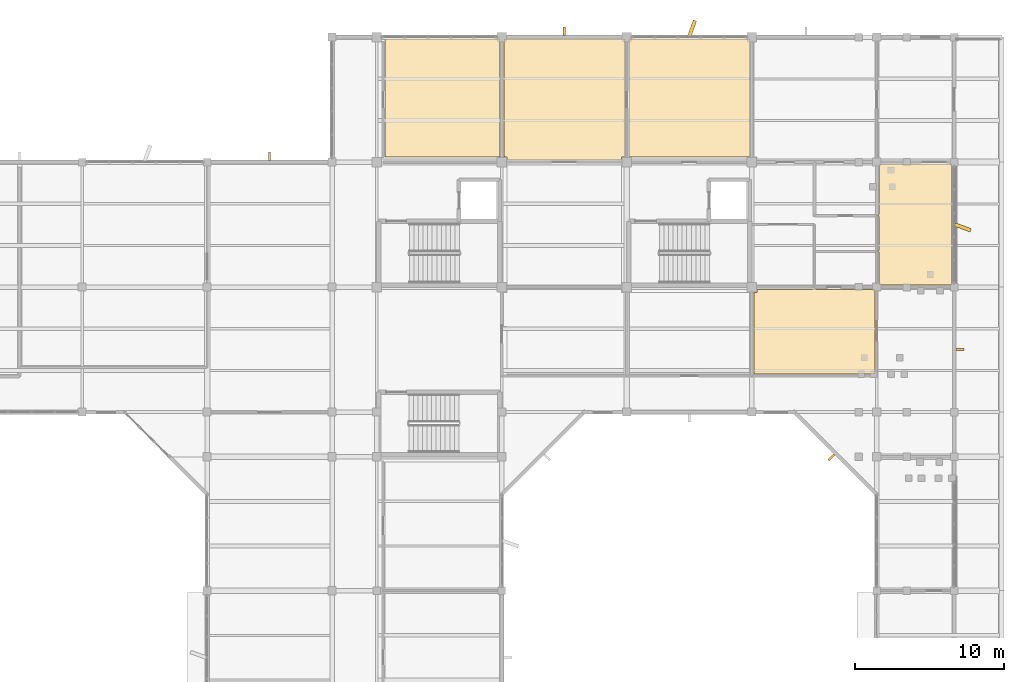
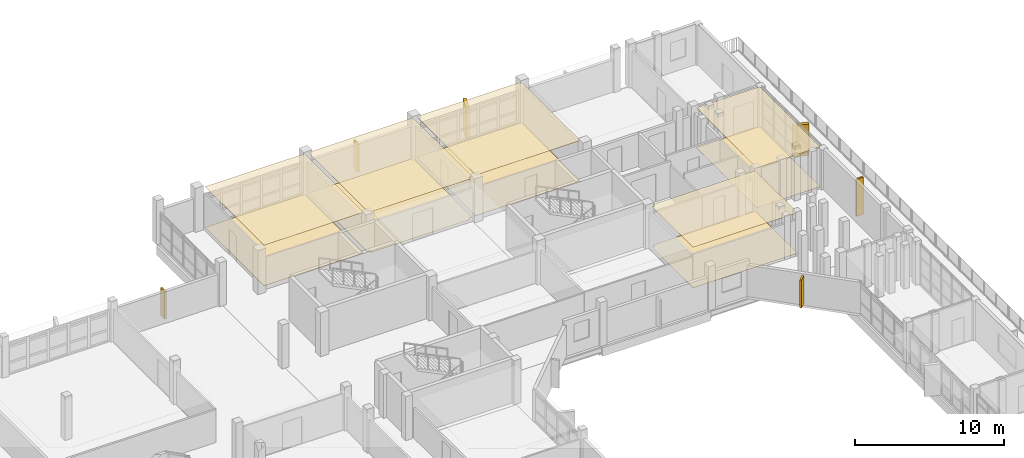
# One storey, part 50 of 51: 12 coverings, 4 shading devices.
"""IFC4 building model written with IfcOpenShell, lengths in metres."""

from ifc_helpers import new_model, si_unit, direction, frame, origin, origin_2d, place, context, subcontext, project, spatial, polyline, rectangle, outline, extrude, material, layer, layer_set, type_object, element, save


model = new_model("IFC4")

# Units and contexts
model_context = context("Model", 3, precision=1e-05, world=origin(), true_north=direction((0.0, 1.0)))
body_context = subcontext(model_context, "Body", "Model", "MODEL_VIEW")
ifc_project = project(units=[si_unit("LENGTHUNIT", "METRE"), si_unit("AREAUNIT", "SQUARE_METRE"), si_unit("VOLUMEUNIT", "CUBIC_METRE"), si_unit("PLANEANGLEUNIT", "RADIAN"), si_unit("MASSUNIT", "GRAM", prefix="KILO")], contexts=[model_context])

# Site, building, storey
site_placement = place(None, origin())
site = spatial("IfcSite", under=ifc_project, at=site_placement, CompositionType="ELEMENT")
building_placement = place(site_placement, origin())
building = spatial("IfcBuilding", under=site, at=building_placement, Name="Vanh Quang Courtyard School", CompositionType="ELEMENT")
storey_placement = place(building_placement, frame((0.0, 0.0, 11.39990234375)))
storey = spatial("IfcBuildingStorey", under=building, at=storey_placement, Name="L03", CompositionType="ELEMENT", Elevation=11.39990234375)

# Coverings
ifc_material_1 = material(Name="Perforated mineral-fibre acoustic ceiling board")
ifc_layer_1 = layer(ifc_material_1, 0.02490234375)
ifc_layer_set_1 = layer_set([ifc_layer_1], Name="Perforated mineral-fibre acoustic ceiling board")
covering_type_1 = type_object("IfcCoveringType", Name="COV-CEIL-ACOUSTIC", PredefinedType="CEILING", material=ifc_layer_set_1)
covering_1_placement = place(storey_placement, frame((0.0, 0.0, 3.315185546875)))
element("IfcCovering", 1, at=covering_1_placement, inside=storey, type_object=covering_type_1, Name="Covering CV-CL1 (L03)", PredefinedType="CEILING", context=body_context, shape_type="SweptSolid", body=[
    extrude(outline(polyline([(77.949951171875, 96.4599609375), (77.949951171875, 96.4609375), (77.9501953125, 96.4619140625), (77.950439453125, 96.462890625), (77.95068359375, 96.4638671875), (77.951171875, 96.464599609375), (77.95166015625, 96.465576171875), (77.952392578125, 96.46630859375), (77.952880859375, 96.467041015625), (77.95361328125, 96.4677734375), (77.954345703125, 96.46826171875), (77.955322265625, 96.46875), (77.956298828125, 96.46923828125), (77.95703125, 96.469482421875), (77.9580078125, 96.4697265625), (77.958984375, 96.469970703125), (77.9599609375, 96.469970703125), (85.659912109375, 96.469970703125), (85.660888671875, 96.469970703125), (85.662109375, 96.4697265625), (85.662841796875, 96.469482421875), (85.663818359375, 96.46923828125), (85.664794921875, 96.46875), (85.66552734375, 96.46826171875), (85.666259765625, 96.4677734375), (85.6669921875, 96.467041015625), (85.667724609375, 96.46630859375), (85.668212890625, 96.465576171875), (85.668701171875, 96.464599609375), (85.669189453125, 96.4638671875), (85.669677734375, 96.462890625), (85.669921875, 96.4619140625), (85.669921875, 96.4609375), (85.669921875, 96.4599609375), (85.669921875, 88.550048828125), (77.949951171875, 88.550048828125), (77.949951171875, 96.4599609375)])), origin(), (0.0, 0.0, 1.0), 0.02490234375),
])
covering_2_placement = place(storey_placement, frame((0.0, 0.0, 3.315185546875)))
element("IfcCovering", 2, at=covering_2_placement, inside=storey, type_object=covering_type_1, Name="Covering CV-CL1 (L03)", PredefinedType="CEILING", context=body_context, shape_type="SweptSolid", body=[
    extrude(outline(polyline([(86.14990234375, 88.35009765625), (86.14990234375, 88.550048828125), (85.949951171875, 88.550048828125), (85.949951171875, 96.4599609375), (85.949951171875, 96.4609375), (85.9501953125, 96.4619140625), (85.950439453125, 96.462890625), (85.95068359375, 96.4638671875), (85.951171875, 96.464599609375), (85.95166015625, 96.465576171875), (85.952392578125, 96.46630859375), (85.952880859375, 96.467041015625), (85.95361328125, 96.4677734375), (85.954345703125, 96.46826171875), (85.955322265625, 96.46875), (85.956298828125, 96.46923828125), (85.95703125, 96.469482421875), (85.9580078125, 96.4697265625), (85.958984375, 96.469970703125), (85.9599609375, 96.469970703125), (94.06005859375, 96.469970703125), (94.06103515625, 96.469970703125), (94.06201171875, 96.4697265625), (94.06298828125, 96.469482421875), (94.063720703125, 96.46923828125), (94.064697265625, 96.46875), (94.065673828125, 96.46826171875), (94.06640625, 96.4677734375), (94.067138671875, 96.467041015625), (94.067626953125, 96.46630859375), (94.068359375, 96.465576171875), (94.06884765625, 96.464599609375), (94.069091796875, 96.4638671875), (94.069580078125, 96.462890625), (94.06982421875, 96.4619140625), (94.070068359375, 96.4609375), (94.070068359375, 96.4599609375), (94.070068359375, 88.550048828125), (93.85009765625, 88.550048828125), (93.85009765625, 88.35009765625), (86.14990234375, 88.35009765625)])), origin(), (0.0, 0.0, 1.0), 0.02490234375),
])
covering_3_placement = place(storey_placement, frame((0.0, 0.0, 3.315185546875)))
element("IfcCovering", 3, at=covering_3_placement, inside=storey, type_object=covering_type_1, Name="Covering CV-CL1 (L03)", PredefinedType="CEILING", context=body_context, shape_type="SweptSolid", body=[
    extrude(outline(polyline([(94.35009765625, 96.4599609375), (94.35009765625, 96.4609375), (94.35009765625, 96.4619140625), (94.350341796875, 96.462890625), (94.350830078125, 96.4638671875), (94.351318359375, 96.464599609375), (94.351806640625, 96.465576171875), (94.352294921875, 96.46630859375), (94.352783203125, 96.467041015625), (94.353759765625, 96.4677734375), (94.3544921875, 96.46826171875), (94.355224609375, 96.46875), (94.356201171875, 96.46923828125), (94.357177734375, 96.469482421875), (94.35791015625, 96.4697265625), (94.35888671875, 96.469970703125), (94.360107421875, 96.469970703125), (102.4599609375, 96.469970703125), (102.4609375, 96.469970703125), (102.4619140625, 96.4697265625), (102.462890625, 96.469482421875), (102.4638671875, 96.46923828125), (102.464599609375, 96.46875), (102.465576171875, 96.46826171875), (102.46630859375, 96.4677734375), (102.467041015625, 96.467041015625), (102.4677734375, 96.46630859375), (102.46826171875, 96.465576171875), (102.46875, 96.464599609375), (102.46923828125, 96.4638671875), (102.469482421875, 96.462890625), (102.4697265625, 96.4619140625), (102.469970703125, 96.4609375), (102.469970703125, 96.4599609375), (102.469970703125, 88.550048828125), (94.34912109375, 88.550048828125), (94.35009765625, 96.4599609375)])), origin(), (0.0, 0.0, 1.0), 0.02490234375),
])
covering_4_placement = place(storey_placement, frame((0.0, 0.0, 3.315185546875)))
element("IfcCovering", 4, at=covering_4_placement, inside=storey, type_object=covering_type_1, Name="Covering CV-CL1 (L03)", PredefinedType="CEILING", context=body_context, shape_type="SweptSolid", body=[
    extrude(outline(polyline([(102.75, 79.449951171875), (102.949951171875, 79.449951171875), (102.949951171875, 79.64990234375), (106.6591796875, 79.64990234375), (106.765625, 79.669921875), (106.7666015625, 79.669921875), (106.767333984375, 79.669921875), (106.8525390625, 79.669921875), (106.853515625, 79.669921875), (106.8544921875, 79.669921875), (106.9609375, 79.64990234375), (110.860107421875, 79.64990234375), (110.861083984375, 79.64990234375), (110.862060546875, 79.64990234375), (110.86279296875, 79.649658203125), (110.86376953125, 79.649169921875), (110.86474609375, 79.648681640625), (110.865478515625, 79.648193359375), (110.8662109375, 79.647705078125), (110.8671875, 79.647216796875), (110.86767578125, 79.646240234375), (110.868408203125, 79.6455078125), (110.868896484375, 79.644775390625), (110.869140625, 79.643798828125), (110.86962890625, 79.642822265625), (110.869873046875, 79.64208984375), (110.8701171875, 79.64111328125), (110.8701171875, 79.639892578125), (110.8701171875, 73.9599609375), (110.8701171875, 73.958984375), (110.869873046875, 73.9580078125), (110.86962890625, 73.95703125), (110.869140625, 73.956298828125), (110.868896484375, 73.955322265625), (110.868408203125, 73.954345703125), (110.86767578125, 73.95361328125), (110.8671875, 73.952880859375), (110.8662109375, 73.952392578125), (110.865478515625, 73.95166015625), (110.86474609375, 73.951171875), (110.86376953125, 73.95068359375), (110.86279296875, 73.950439453125), (110.862060546875, 73.9501953125), (110.861083984375, 73.949951171875), (110.860107421875, 73.949951171875), (102.760009765625, 73.949951171875), (102.759033203125, 73.949951171875), (102.758056640625, 73.9501953125), (102.757080078125, 73.950439453125), (102.756103515625, 73.95068359375), (102.75537109375, 73.951171875), (102.75439453125, 73.95166015625), (102.753662109375, 73.952392578125), (102.7529296875, 73.952880859375), (102.752197265625, 73.95361328125), (102.751708984375, 73.954345703125), (102.751220703125, 73.955322265625), (102.750732421875, 73.956298828125), (102.75048828125, 73.95703125), (102.750244140625, 73.9580078125), (102.75, 73.958984375), (102.75, 73.9599609375), (102.75, 79.449951171875)])), origin(), (0.0, 0.0, 1.0), 0.02490234375),
])
covering_5_placement = place(storey_placement, frame((0.0, 0.0, 3.255126953125)))
element("IfcCovering", 5, at=covering_5_placement, inside=storey, type_object=covering_type_1, Name="Covering CV-CL1 (L03)", PredefinedType="CEILING", context=body_context, shape_type="SweptSolid", body=[
    extrude(outline(polyline([(111.159912109375, 79.929931640625), (111.158935546875, 79.929931640625), (111.157958984375, 79.93017578125), (111.156982421875, 79.930419921875), (111.15625, 79.930908203125), (111.1552734375, 79.93115234375), (111.154296875, 79.931640625), (111.15380859375, 79.932373046875), (111.15283203125, 79.932861328125), (111.15234375, 79.93359375), (111.151611328125, 79.934326171875), (111.151123046875, 79.935302734375), (111.15087890625, 79.936279296875), (111.150390625, 79.93701171875), (111.150146484375, 79.93798828125), (111.14990234375, 79.93896484375), (111.14990234375, 79.93994140625), (111.14990234375, 82.05908203125), (111.130126953125, 82.16552734375), (111.1298828125, 82.16650390625), (111.1298828125, 82.16748046875), (111.1298828125, 82.252685546875), (111.1298828125, 82.25341796875), (111.130126953125, 82.25439453125), (111.14990234375, 82.36083984375), (111.14990234375, 84.458984375), (111.130126953125, 84.565673828125), (111.1298828125, 84.56640625), (111.1298828125, 84.5673828125), (111.1298828125, 84.652587890625), (111.1298828125, 84.653564453125), (111.130126953125, 84.654296875), (111.14990234375, 84.760986328125), (111.14990234375, 88.06005859375), (111.14990234375, 88.06103515625), (111.150146484375, 88.06201171875), (111.150390625, 88.06298828125), (111.15087890625, 88.063720703125), (111.151123046875, 88.064697265625), (111.151611328125, 88.065673828125), (111.15234375, 88.06640625), (111.15283203125, 88.067138671875), (111.15380859375, 88.067626953125), (111.154296875, 88.068359375), (111.1552734375, 88.06884765625), (111.15625, 88.069091796875), (111.156982421875, 88.069580078125), (111.157958984375, 88.06982421875), (111.158935546875, 88.070068359375), (111.159912109375, 88.070068359375), (116.06005859375, 88.070068359375), (116.06103515625, 88.070068359375), (116.06201171875, 88.06982421875), (116.06298828125, 88.069580078125), (116.063720703125, 88.069091796875), (116.064697265625, 88.06884765625), (116.065673828125, 88.068359375), (116.06640625, 88.067626953125), (116.067138671875, 88.067138671875), (116.067626953125, 88.06640625), (116.068359375, 88.065673828125), (116.06884765625, 88.064697265625), (116.069091796875, 88.063720703125), (116.069580078125, 88.06298828125), (116.06982421875, 88.06201171875), (116.070068359375, 88.06103515625), (116.070068359375, 88.06005859375), (116.070068359375, 79.93994140625), (116.070068359375, 79.93896484375), (116.06982421875, 79.93798828125), (116.069580078125, 79.93701171875), (116.069091796875, 79.936279296875), (116.06884765625, 79.935302734375), (116.068359375, 79.934326171875), (116.067626953125, 79.93359375), (116.067138671875, 79.932861328125), (116.06640625, 79.932373046875), (116.065673828125, 79.931640625), (116.064697265625, 79.93115234375), (116.063720703125, 79.930908203125), (116.06298828125, 79.930419921875), (116.06201171875, 79.93017578125), (116.06103515625, 79.929931640625), (116.06005859375, 79.929931640625), (111.159912109375, 79.929931640625)])), origin(), (0.0, 0.0, 1.0), 0.02490234375),
])
ifc_material_2 = material(Name="Polished cementitious terrazzo tile", Category="concrete")
ifc_layer_2 = layer(ifc_material_2, 0.02001953125)
ifc_layer_set_2 = layer_set([ifc_layer_2], Name="Polished cementitious terrazzo tile")
covering_type_2 = type_object("IfcCoveringType", Name="COV-FLR-TERRAZZO", PredefinedType="FLOORING", material=ifc_layer_set_2)
covering_6_placement = place(storey_placement, origin())
element("IfcCovering", 6, at=covering_6_placement, inside=storey, type_object=covering_type_2, Name="Covering CV-FL1 (L03)", PredefinedType="FLOORING", context=body_context, shape_type="SweptSolid", body=[
    extrude(outline(polyline([(77.949951171875, 96.4599609375), (77.949951171875, 96.4609375), (77.9501953125, 96.4619140625), (77.950439453125, 96.462890625), (77.95068359375, 96.4638671875), (77.951171875, 96.464599609375), (77.95166015625, 96.465576171875), (77.952392578125, 96.46630859375), (77.952880859375, 96.467041015625), (77.95361328125, 96.4677734375), (77.954345703125, 96.46826171875), (77.955322265625, 96.46875), (77.956298828125, 96.46923828125), (77.95703125, 96.469482421875), (77.9580078125, 96.4697265625), (77.958984375, 96.469970703125), (77.9599609375, 96.469970703125), (85.659912109375, 96.469970703125), (85.660888671875, 96.469970703125), (85.662109375, 96.4697265625), (85.662841796875, 96.469482421875), (85.663818359375, 96.46923828125), (85.664794921875, 96.46875), (85.66552734375, 96.46826171875), (85.666259765625, 96.4677734375), (85.6669921875, 96.467041015625), (85.667724609375, 96.46630859375), (85.668212890625, 96.465576171875), (85.668701171875, 96.464599609375), (85.669189453125, 96.4638671875), (85.669677734375, 96.462890625), (85.669921875, 96.4619140625), (85.669921875, 96.4609375), (85.669921875, 96.4599609375), (85.669921875, 88.550048828125), (77.949951171875, 88.550048828125), (77.949951171875, 96.4599609375)])), origin(), (0.0, 0.0, 1.0), 0.02001953125),
])
covering_7_placement = place(storey_placement, origin())
element("IfcCovering", 7, at=covering_7_placement, inside=storey, type_object=covering_type_2, Name="Covering CV-FL1 (L03)", PredefinedType="FLOORING", context=body_context, shape_type="SweptSolid", body=[
    extrude(outline(polyline([(86.14990234375, 88.35009765625), (86.14990234375, 88.550048828125), (85.949951171875, 88.550048828125), (85.949951171875, 96.4599609375), (85.949951171875, 96.4609375), (85.9501953125, 96.4619140625), (85.950439453125, 96.462890625), (85.95068359375, 96.4638671875), (85.951171875, 96.464599609375), (85.95166015625, 96.465576171875), (85.952392578125, 96.46630859375), (85.952880859375, 96.467041015625), (85.95361328125, 96.4677734375), (85.954345703125, 96.46826171875), (85.955322265625, 96.46875), (85.956298828125, 96.46923828125), (85.95703125, 96.469482421875), (85.9580078125, 96.4697265625), (85.958984375, 96.469970703125), (85.9599609375, 96.469970703125), (94.06005859375, 96.469970703125), (94.06103515625, 96.469970703125), (94.06201171875, 96.4697265625), (94.06298828125, 96.469482421875), (94.063720703125, 96.46923828125), (94.064697265625, 96.46875), (94.065673828125, 96.46826171875), (94.06640625, 96.4677734375), (94.067138671875, 96.467041015625), (94.067626953125, 96.46630859375), (94.068359375, 96.465576171875), (94.06884765625, 96.464599609375), (94.069091796875, 96.4638671875), (94.069580078125, 96.462890625), (94.06982421875, 96.4619140625), (94.070068359375, 96.4609375), (94.070068359375, 96.4599609375), (94.070068359375, 88.550048828125), (93.85009765625, 88.550048828125), (93.85009765625, 88.35009765625), (86.14990234375, 88.35009765625)])), origin(), (0.0, 0.0, 1.0), 0.02001953125),
])
covering_8_placement = place(storey_placement, origin())
element("IfcCovering", 8, at=covering_8_placement, inside=storey, type_object=covering_type_2, Name="Covering CV-FL1 (L03)", PredefinedType="FLOORING", context=body_context, shape_type="SweptSolid", body=[
    extrude(outline(polyline([(94.35009765625, 96.4599609375), (94.35009765625, 96.4609375), (94.35009765625, 96.4619140625), (94.350341796875, 96.462890625), (94.350830078125, 96.4638671875), (94.351318359375, 96.464599609375), (94.351806640625, 96.465576171875), (94.352294921875, 96.46630859375), (94.352783203125, 96.467041015625), (94.353759765625, 96.4677734375), (94.3544921875, 96.46826171875), (94.355224609375, 96.46875), (94.356201171875, 96.46923828125), (94.357177734375, 96.469482421875), (94.35791015625, 96.4697265625), (94.35888671875, 96.469970703125), (94.360107421875, 96.469970703125), (102.4599609375, 96.469970703125), (102.4609375, 96.469970703125), (102.4619140625, 96.4697265625), (102.462890625, 96.469482421875), (102.4638671875, 96.46923828125), (102.464599609375, 96.46875), (102.465576171875, 96.46826171875), (102.46630859375, 96.4677734375), (102.467041015625, 96.467041015625), (102.4677734375, 96.46630859375), (102.46826171875, 96.465576171875), (102.46875, 96.464599609375), (102.46923828125, 96.4638671875), (102.469482421875, 96.462890625), (102.4697265625, 96.4619140625), (102.469970703125, 96.4609375), (102.469970703125, 96.4599609375), (102.469970703125, 88.550048828125), (94.34912109375, 88.550048828125), (94.35009765625, 96.4599609375)])), origin(), (0.0, 0.0, 1.0), 0.02001953125),
])
covering_9_placement = place(storey_placement, origin())
element("IfcCovering", 9, at=covering_9_placement, inside=storey, type_object=covering_type_2, Name="Covering CV-FL1 (L03)", PredefinedType="FLOORING", context=body_context, shape_type="SweptSolid", body=[
    extrude(outline(polyline([(102.75, 79.449951171875), (102.949951171875, 79.449951171875), (102.949951171875, 79.64990234375), (106.6591796875, 79.64990234375), (106.765625, 79.669921875), (106.7666015625, 79.669921875), (106.767333984375, 79.669921875), (106.8525390625, 79.669921875), (106.853515625, 79.669921875), (106.8544921875, 79.669921875), (106.9609375, 79.64990234375), (110.860107421875, 79.64990234375), (110.861083984375, 79.64990234375), (110.862060546875, 79.64990234375), (110.86279296875, 79.649658203125), (110.86376953125, 79.649169921875), (110.86474609375, 79.648681640625), (110.865478515625, 79.648193359375), (110.8662109375, 79.647705078125), (110.8671875, 79.647216796875), (110.86767578125, 79.646240234375), (110.868408203125, 79.6455078125), (110.868896484375, 79.644775390625), (110.869140625, 79.643798828125), (110.86962890625, 79.642822265625), (110.869873046875, 79.64208984375), (110.8701171875, 79.64111328125), (110.8701171875, 79.639892578125), (110.8701171875, 73.9599609375), (110.8701171875, 73.958984375), (110.869873046875, 73.9580078125), (110.86962890625, 73.95703125), (110.869140625, 73.956298828125), (110.868896484375, 73.955322265625), (110.868408203125, 73.954345703125), (110.86767578125, 73.95361328125), (110.8671875, 73.952880859375), (110.8662109375, 73.952392578125), (110.865478515625, 73.95166015625), (110.86474609375, 73.951171875), (110.86376953125, 73.95068359375), (110.86279296875, 73.950439453125), (110.862060546875, 73.9501953125), (110.861083984375, 73.949951171875), (110.860107421875, 73.949951171875), (102.760009765625, 73.949951171875), (102.759033203125, 73.949951171875), (102.758056640625, 73.9501953125), (102.757080078125, 73.950439453125), (102.756103515625, 73.95068359375), (102.75537109375, 73.951171875), (102.75439453125, 73.95166015625), (102.753662109375, 73.952392578125), (102.7529296875, 73.952880859375), (102.752197265625, 73.95361328125), (102.751708984375, 73.954345703125), (102.751220703125, 73.955322265625), (102.750732421875, 73.956298828125), (102.75048828125, 73.95703125), (102.750244140625, 73.9580078125), (102.75, 73.958984375), (102.75, 73.9599609375), (102.75, 79.449951171875)])), origin(), (0.0, 0.0, 1.0), 0.02001953125),
])
covering_10_placement = place(storey_placement, origin())
element("IfcCovering", 10, at=covering_10_placement, inside=storey, type_object=covering_type_2, Name="Covering CV-FL1 (L03)", PredefinedType="FLOORING", context=body_context, shape_type="SweptSolid", body=[
    extrude(outline(polyline([(111.159912109375, 79.929931640625), (111.158935546875, 79.929931640625), (111.157958984375, 79.93017578125), (111.156982421875, 79.930419921875), (111.15625, 79.930908203125), (111.1552734375, 79.93115234375), (111.154296875, 79.931640625), (111.15380859375, 79.932373046875), (111.15283203125, 79.932861328125), (111.15234375, 79.93359375), (111.151611328125, 79.934326171875), (111.151123046875, 79.935302734375), (111.15087890625, 79.936279296875), (111.150390625, 79.93701171875), (111.150146484375, 79.93798828125), (111.14990234375, 79.93896484375), (111.14990234375, 79.93994140625), (111.14990234375, 82.05908203125), (111.130126953125, 82.16552734375), (111.1298828125, 82.16650390625), (111.1298828125, 82.16748046875), (111.1298828125, 82.252685546875), (111.1298828125, 82.25341796875), (111.130126953125, 82.25439453125), (111.14990234375, 82.36083984375), (111.14990234375, 84.458984375), (111.130126953125, 84.565673828125), (111.1298828125, 84.56640625), (111.1298828125, 84.5673828125), (111.1298828125, 84.652587890625), (111.1298828125, 84.653564453125), (111.130126953125, 84.654296875), (111.14990234375, 84.760986328125), (111.14990234375, 88.06005859375), (111.14990234375, 88.06103515625), (111.150146484375, 88.06201171875), (111.150390625, 88.06298828125), (111.15087890625, 88.063720703125), (111.151123046875, 88.064697265625), (111.151611328125, 88.065673828125), (111.15234375, 88.06640625), (111.15283203125, 88.067138671875), (111.15380859375, 88.067626953125), (111.154296875, 88.068359375), (111.1552734375, 88.06884765625), (111.15625, 88.069091796875), (111.156982421875, 88.069580078125), (111.157958984375, 88.06982421875), (111.158935546875, 88.070068359375), (111.159912109375, 88.070068359375), (116.06005859375, 88.070068359375), (116.06103515625, 88.070068359375), (116.06201171875, 88.06982421875), (116.06298828125, 88.069580078125), (116.063720703125, 88.069091796875), (116.064697265625, 88.06884765625), (116.065673828125, 88.068359375), (116.06640625, 88.067626953125), (116.067138671875, 88.067138671875), (116.067626953125, 88.06640625), (116.068359375, 88.065673828125), (116.06884765625, 88.064697265625), (116.069091796875, 88.063720703125), (116.069580078125, 88.06298828125), (116.06982421875, 88.06201171875), (116.070068359375, 88.06103515625), (116.070068359375, 88.06005859375), (116.070068359375, 79.93994140625), (116.070068359375, 79.93896484375), (116.06982421875, 79.93798828125), (116.069580078125, 79.93701171875), (116.069091796875, 79.936279296875), (116.06884765625, 79.935302734375), (116.068359375, 79.934326171875), (116.067626953125, 79.93359375), (116.067138671875, 79.932861328125), (116.06640625, 79.932373046875), (116.065673828125, 79.931640625), (116.064697265625, 79.93115234375), (116.063720703125, 79.930908203125), (116.06298828125, 79.930419921875), (116.06201171875, 79.93017578125), (116.06103515625, 79.929931640625), (116.06005859375, 79.929931640625), (111.159912109375, 79.929931640625)])), origin(), (0.0, 0.0, 1.0), 0.02001953125),
])
ifc_material_3 = material(Name="Board-marked precast concrete C40/50", Category="concrete")
ifc_layer_3 = layer(ifc_material_3, 0.239990234375)
ifc_layer_set_3 = layer_set([ifc_layer_3], Name="Board-marked precast concrete C40/50")
covering_type_3 = type_object("IfcCoveringType", Name="COV-HOOD-CONC", PredefinedType="CLADDING", material=ifc_layer_set_3)
for number, where, z_axis, x_axis, name in (
    (11, (98.590087890625, 97.18505859375, 0.0), (0.0, 0.0, 1.0), (0.340379550213, 0.94028812701, 0.0), "Covering CH-01 (L03)"),
    (12, (116.784912109375, 83.81005859375, 0.0), (0.0, 0.0, 1.0), (0.94028812701, -0.340379550213, 0.0), "Covering CH-01 (L03)"),
):
    element("IfcCovering", number, at=place(storey_placement, frame(where, z_axis=z_axis, x_axis=x_axis)), inside=storey, type_object=covering_type_3, Name=name, PredefinedType="CLADDING", context=body_context, shape_type="SweptSolid", body=[
        extrude(rectangle(XDim=1.11669921875, YDim=0.239990234375, at=origin_2d()), origin(), (0.0, 0.0, 1.0), 2.56005859375),
    ])

# Shading devices
shading_device_type = type_object("IfcShadingDeviceType", Name="SHD-FIN-CONCRETE", PredefinedType="USERDEFINED", material=ifc_material_3)
shading_device_1_placement = place(storey_placement, frame((70.1875, 88.594970703125, 0.14990234375), z_axis=(0.0, 0.0, 1.0), x_axis=(1.0, 0.0, 0.0)))
element("IfcShadingDevice", 13, at=shading_device_1_placement, inside=storey, type_object=shading_device_type, Name="Solar Shading SH-02 (L03)", ObjectType="Solar Shading SH-02 (L03)", PredefinedType="USERDEFINED", context=body_context, shape_type="SweptSolid", body=[
    extrude(rectangle(XDim=0.139892578125, YDim=0.550048828125, at=origin_2d()), origin(), (0.0, 0.0, 1.0), 2.280029296875),
])
shading_device_2_placement = place(storey_placement, frame((90.0, 96.9951171875, 0.14990234375), z_axis=(0.0, 0.0, 1.0), x_axis=(1.0, 0.0, 0.0)))
element("IfcShadingDevice", 14, at=shading_device_2_placement, inside=storey, type_object=shading_device_type, Name="Solar Shading SH-02 (L03)", ObjectType="Solar Shading SH-02 (L03)", PredefinedType="USERDEFINED", context=body_context, shape_type="SweptSolid", body=[
    extrude(rectangle(XDim=0.139892578125, YDim=0.550048828125, at=origin_2d()), origin(), (0.0, 0.0, 1.0), 2.340087890625),
])
shading_device_3_placement = place(storey_placement, frame((116.594970703125, 75.60009765625, 0.150146484375), z_axis=(0.0, 0.0, 1.0), x_axis=(0.0, -1.0, 0.0)))
element("IfcShadingDevice", 15, at=shading_device_3_placement, inside=storey, type_object=shading_device_type, Name="Solar Shading SH-02 (L03)", ObjectType="Solar Shading SH-02 (L03)", PredefinedType="USERDEFINED", context=body_context, shape_type="SweptSolid", body=[
    extrude(rectangle(XDim=0.139892578125, YDim=0.550048828125, at=origin_2d()), origin(), (0.0, 0.0, 1.0), 3.0400390625),
])
shading_device_4_placement = place(storey_placement, frame((107.94873046875, 68.3486328125, 0.14990234375), z_axis=(0.0, 0.0, 1.0), x_axis=(-0.707106781187, 0.707106781187, 0.0)))
element("IfcShadingDevice", 16, at=shading_device_4_placement, inside=storey, type_object=shading_device_type, Name="Solar Shading SH-02 (L03)", ObjectType="Solar Shading SH-02 (L03)", PredefinedType="USERDEFINED", context=body_context, shape_type="SweptSolid", body=[
    extrude(rectangle(XDim=0.139892578125, YDim=0.550048828125, at=origin_2d()), origin(), (0.0, 0.0, 1.0), 2.280029296875),
])

save(model, "model.ifc")
